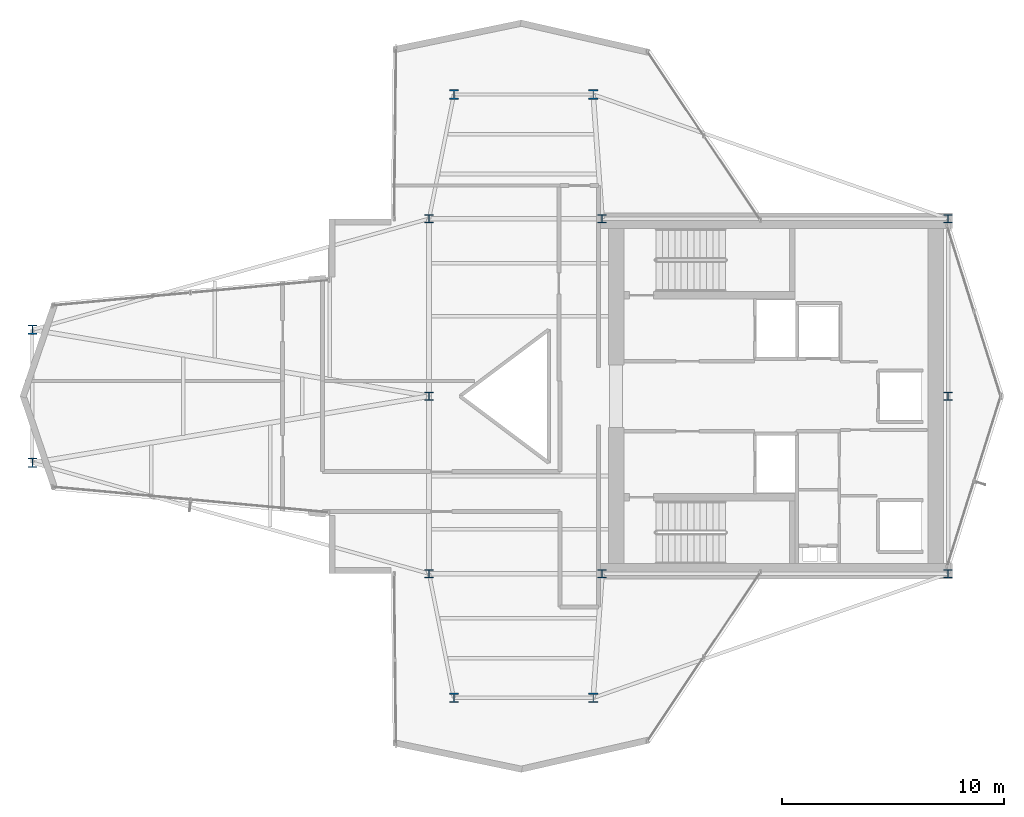
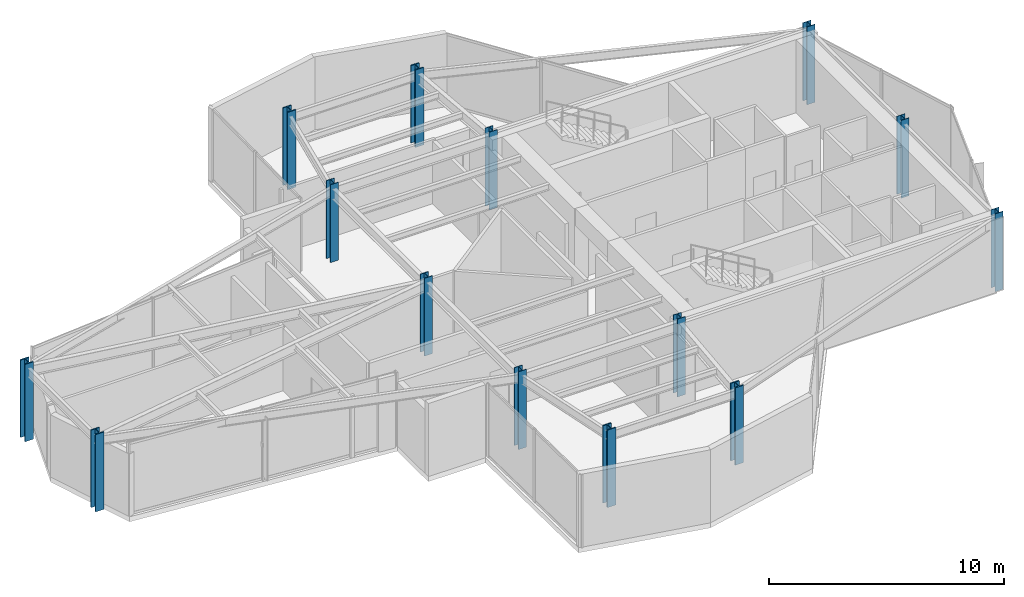
# One storey, part 1 of 22: 14 columns.
"""IFC4 building model written with IfcOpenShell, lengths in metres."""

from ifc_helpers import new_model, si_unit, direction, frame, origin, origin_2d, place, context, subcontext, project, spatial, i_section, extrude, material, material_profile, profile_set, type_object, element, save


model = new_model("IFC4")

# Units and contexts
model_context = context("Model", 3, precision=1e-05, world=origin(), true_north=direction((0.0, 1.0)))
body_context = subcontext(model_context, "Body", "Model", "MODEL_VIEW")
ifc_project = project(units=[si_unit("LENGTHUNIT", "METRE"), si_unit("AREAUNIT", "SQUARE_METRE"), si_unit("VOLUMEUNIT", "CUBIC_METRE"), si_unit("PLANEANGLEUNIT", "RADIAN"), si_unit("MASSUNIT", "GRAM", prefix="KILO")], contexts=[model_context])

# Site, building, storey
site_placement = place(None, origin())
site = spatial("IfcSite", under=ifc_project, at=site_placement, CompositionType="ELEMENT")
building_placement = place(site_placement, origin())
building = spatial("IfcBuilding", under=site, at=building_placement, Name="Veymaron Broadcast Tower", CompositionType="ELEMENT")
storey_placement = place(building_placement, frame((0.0, 0.0, 204.0)))
storey = spatial("IfcBuildingStorey", under=building, at=storey_placement, Name="L47", CompositionType="ELEMENT", Elevation=204.0)

# Columns
ifc_material_1 = material(Name="Structural steel ASTM A992 Gr 50", Category="steel")
ifc_material_profile_1 = material_profile(ifc_material_1, i_section(OverallWidth=0.39404296875, OverallDepth=0.375, WebThickness=0.017333984375, FlangeThickness=0.027587890625, at=origin_2d()), Name="W360X216")
ifc_profile_set_1 = profile_set([ifc_material_profile_1], Name="Structural steel ASTM A992 Gr 50")
column_type_1 = type_object("IfcColumnType", Name="COL-HC3", PredefinedType="COLUMN", material=ifc_profile_set_1)
for number, where, z_axis, x_axis, name in (
    (1, (31.199951171875, 16.0, 0.0), (0.0, 0.0, 1.0), (1.0, 0.0, 0.0), "L47 structural hub and core column"),
    (2, (31.199951171875, 24.0, 0.0), (0.0, 0.0, 1.0), (1.0, 0.0, 0.0), "L47 structural hub and core column"),
    (3, (31.199951171875, 32.0, 0.0), (0.0, 0.0, 1.0), (1.0, 0.0, 0.0), "L47 structural hub and core column"),
    (4, (39.0, 16.0, 0.0), (0.0, 0.0, 1.0), (1.0, 0.0, 0.0), "L47 structural hub and core column"),
    (5, (39.0, 32.0, 0.0), (0.0, 0.0, 1.0), (1.0, 0.0, 0.0), "L47 structural hub and core column"),
    (6, (54.60009765625, 16.0, 0.0), (0.0, 0.0, 1.0), (1.0, 0.0, 0.0), "L47 structural hub and core column"),
    (7, (54.60009765625, 24.0, 0.0), (0.0, 0.0, 1.0), (1.0, 0.0, 0.0), "L47 structural hub and core column"),
    (8, (54.60009765625, 32.0, 0.0), (0.0, 0.0, 1.0), (1.0, 0.0, 0.0), "L47 structural hub and core column"),
):
    element("IfcColumn", number, at=place(storey_placement, frame(where, z_axis=z_axis, x_axis=x_axis)), inside=storey, type_object=column_type_1, Name=name, PredefinedType="COLUMN", context=body_context, shape_type="SweptSolid", body=[
        extrude(i_section(OverallWidth=0.39404296875, OverallDepth=0.375, WebThickness=0.017333984375, FlangeThickness=0.027587890625, at=origin_2d()), origin(), (0.0, 0.0, 1.0), 4.0439453125),
    ])
ifc_material_2 = material(Name="Structural steel ASTM A913 Gr 65", Category="steel")
ifc_material_profile_2 = material_profile(ifc_material_2, i_section(OverallWidth=0.412109375, OverallDepth=0.43505859375, WebThickness=0.035888671875, FlangeThickness=0.05810546875, at=origin_2d()), Name="W360X463")
ifc_profile_set_2 = profile_set([ifc_material_profile_2], Name="Structural steel ASTM A913 Gr 65")
column_type_2 = type_object("IfcColumnType", Name="COL-MC3", PredefinedType="COLUMN", material=ifc_profile_set_2)
for number, where, z_axis, x_axis, name in (
    (9, (13.320068359375, 21.0, 0.01611328125), (0.0, 0.0, 1.0), (1.0, 0.0, 0.0), "L47 Tapered Wing Mega Column"),
    (10, (13.320068359375, 27.0, 0.01611328125), (0.0, 0.0, 1.0), (1.0, 0.0, 0.0), "L47 Tapered Wing Mega Column"),
    (11, (32.320068359375, 37.60009765625, 0.01611328125), (0.0, 0.0, 1.0), (1.0, 0.0, 0.0), "L47 Tapered Wing Mega Column"),
    (12, (38.60009765625, 37.60009765625, 0.01611328125), (0.0, 0.0, 1.0), (1.0, 0.0, 0.0), "L47 Tapered Wing Mega Column"),
    (13, (32.320068359375, 10.39990234375, 0.01611328125), (0.0, 0.0, 1.0), (1.0, 0.0, 0.0), "L47 Tapered Wing Mega Column"),
    (14, (38.60009765625, 10.39990234375, 0.01611328125), (0.0, 0.0, 1.0), (1.0, 0.0, 0.0), "L47 Tapered Wing Mega Column"),
):
    element("IfcColumn", number, at=place(storey_placement, frame(where, z_axis=z_axis, x_axis=x_axis)), inside=storey, type_object=column_type_2, Name=name, PredefinedType="COLUMN", context=body_context, shape_type="SweptSolid", body=[
        extrude(i_section(OverallWidth=0.412109375, OverallDepth=0.43505859375, WebThickness=0.035888671875, FlangeThickness=0.05810546875, at=origin_2d()), origin(), (0.0, 0.0, 1.0), 4.017822265625),
    ])

save(model, "model.ifc")
